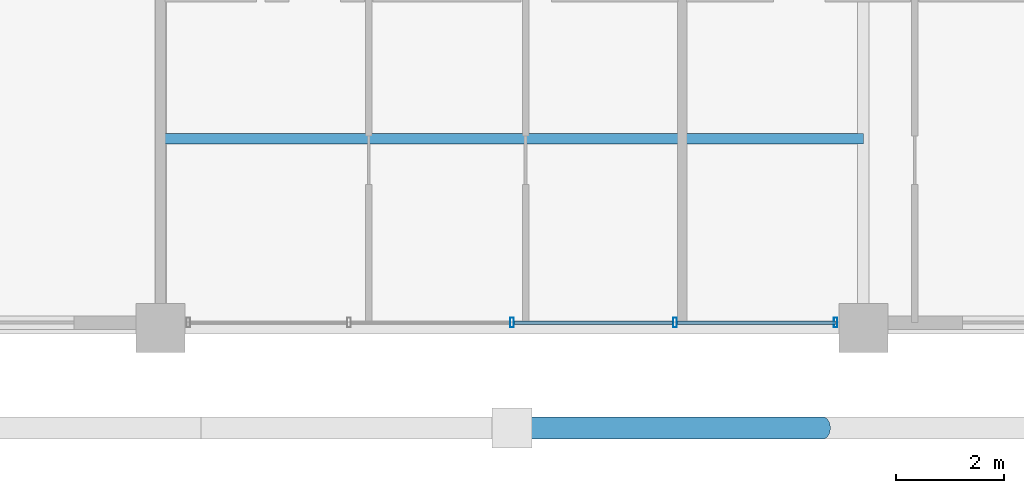
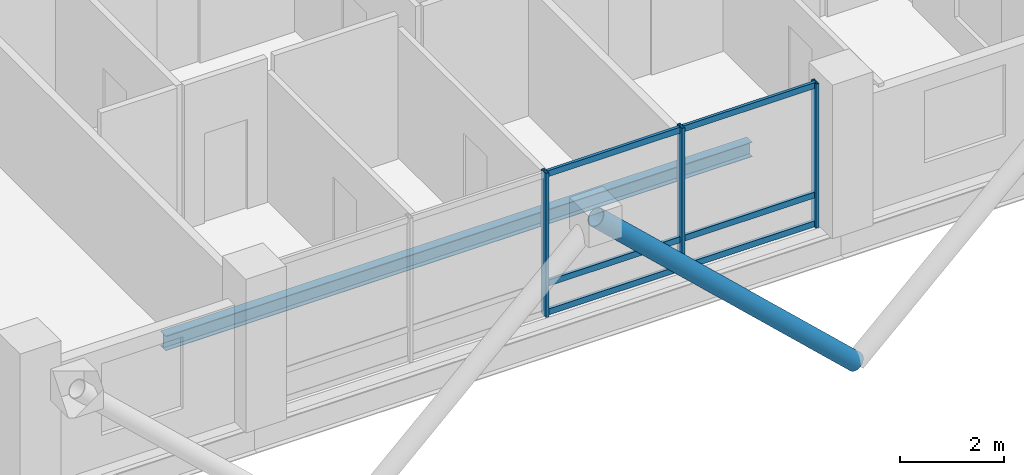
# One storey, part 5 of 23: 10 members, 1 beam, 1 element without a shape of its own.
"""IFC4 building model written with IfcOpenShell, lengths in metres."""

from ifc_helpers import new_model, si_unit, direction, frame, origin, origin_2d, place, context, subcontext, project, spatial, hollow_rectangle, hollow_circle, i_section, extrude, material, layer, layer_set, material_profile, profile_set, type_object, element, aggregate, save


model = new_model("IFC4")

# Units and contexts
model_context = context("Model", 3, precision=1e-05, world=origin(), true_north=direction((0.0, 1.0)))
body_context = subcontext(model_context, "Body", "Model", "MODEL_VIEW")
ifc_project = project(units=[si_unit("LENGTHUNIT", "METRE"), si_unit("AREAUNIT", "SQUARE_METRE"), si_unit("VOLUMEUNIT", "CUBIC_METRE"), si_unit("PLANEANGLEUNIT", "RADIAN"), si_unit("MASSUNIT", "GRAM", prefix="KILO")], contexts=[model_context])

# Site, building, storey
site_placement = place(None, origin())
site = spatial("IfcSite", under=ifc_project, at=site_placement, CompositionType="ELEMENT")
building_placement = place(site_placement, origin())
building = spatial("IfcBuilding", under=site, at=building_placement, Name="Barlavira Tower and Art Museum", CompositionType="ELEMENT")
storey_placement = place(building_placement, frame((0.0, 0.0, 236.699951171875)))
storey = spatial("IfcBuildingStorey", under=building, at=storey_placement, Name="L61", CompositionType="ELEMENT", Elevation=236.699951171875)

# Curtain wall, members
ifc_material_1 = material(Name="Low-iron coastal laminated glass", Category="glass")
ifc_layer = layer(ifc_material_1, 0.2099609375, Name="Low-iron coastal laminated glass")
ifc_layer_set = layer_set([ifc_layer], Name="Low-iron coastal laminated glass")
curtain_wall_type = type_object("IfcCurtainWallType", Name="Pale-Metal Unitised Curtain Wall Zone 4", PredefinedType="NOTDEFINED", material=ifc_layer_set)
curtain_wall_placement = place(storey_placement, origin())
curtain_wall = element("IfcCurtainWall", 1, at=curtain_wall_placement, inside=storey, type_object=curtain_wall_type, Name="L61 Curtain Wall CW4-L61-S-B2", PredefinedType="NOTDEFINED")
ifc_material_2 = material(Name="Pale anodised aluminium", Category="aluminium")
ifc_material_profile_1 = material_profile(ifc_material_2, hollow_rectangle(XDim=0.06494140625, YDim=0.179931640625, WallThickness=0.00390625, at=origin_2d()), Name="ALU-MULL 65x180x4")
ifc_profile_set_1 = profile_set([ifc_material_profile_1], Name="Pale anodised aluminium")
member_type_1 = type_object("IfcMemberType", Name="Curtain Wall Pale-Metal Mullion 65x180", PredefinedType="MULLION", material=ifc_profile_set_1)
member_1_placement = place(storey_placement, frame((0.0, -19.89990234375, 0.0), z_axis=(0.0, 0.0, 1.0), x_axis=(1.0, 0.0, 0.0)))
member_1 = element("IfcMember", 2, at=member_1_placement, type_object=member_type_1, Name="CW4-L61-S-B2 Mullion 2", PredefinedType="MULLION", context=body_context, shape_type="SweptSolid", body=[
    extrude(hollow_rectangle(XDim=0.06494140625, YDim=0.179931640625, WallThickness=0.00390625, at=origin_2d()), origin(), (0.0, 0.0, 1.0), 3.380126953125),
])
member_2_placement = place(storey_placement, frame((3.014892578125, -19.89990234375, 0.0), z_axis=(0.0, 0.0, 1.0), x_axis=(1.0, 0.0, 0.0)))
member_2 = element("IfcMember", 3, at=member_2_placement, type_object=member_type_1, Name="CW4-L61-S-B2 Mullion 3", PredefinedType="MULLION", context=body_context, shape_type="SweptSolid", body=[
    extrude(hollow_rectangle(XDim=0.06494140625, YDim=0.179931640625, WallThickness=0.00390625, at=origin_2d()), origin(), (0.0, 0.0, 1.0), 3.380126953125),
])
member_3_placement = place(storey_placement, frame((5.985107421875, -19.89990234375, 0.0), z_axis=(0.0, 0.0, 1.0), x_axis=(1.0, 0.0, 0.0)))
member_3 = element("IfcMember", 4, at=member_3_placement, type_object=member_type_1, Name="CW4-L61-S-B2 Mullion 4", PredefinedType="MULLION", context=body_context, shape_type="SweptSolid", body=[
    extrude(hollow_rectangle(XDim=0.06494140625, YDim=0.179931640625, WallThickness=0.00390625, at=origin_2d()), origin(), (0.0, 0.0, 1.0), 3.380126953125),
])
ifc_material_profile_2 = material_profile(ifc_material_2, hollow_rectangle(XDim=0.06494140625, YDim=0.139892578125, WallThickness=0.00390625, at=origin_2d()), Name="ALU-TRAN 65x140x4")
ifc_profile_set_2 = profile_set([ifc_material_profile_2], Name="Pale anodised aluminium")
member_type_2 = type_object("IfcMemberType", Name="Curtain Wall Pale-Metal Transom 65x140", PredefinedType="USERDEFINED", material=ifc_profile_set_2)
member_4_placement = place(storey_placement, frame((0.044921875, -19.89990234375, 0.070068359375), z_axis=(1.0, 0.0, 0.0), x_axis=(0.0, 1.0, 0.0)))
member_4 = element("IfcMember", 5, at=member_4_placement, type_object=member_type_2, Name="CW4-L61-S-B2 Transom 2.1", ObjectType="TRANSOM", PredefinedType="USERDEFINED", context=body_context, shape_type="SweptSolid", body=[
    extrude(hollow_rectangle(XDim=0.06494140625, YDim=0.139892578125, WallThickness=0.00390625, at=origin_2d()), origin(), (0.0, 0.0, 1.0), 2.925048828125),
])
member_5_placement = place(storey_placement, frame((0.044921875, -19.89990234375, 0.744140625), z_axis=(1.0, 0.0, 0.0), x_axis=(0.0, 1.0, 0.0)))
member_5 = element("IfcMember", 6, at=member_5_placement, type_object=member_type_2, Name="CW4-L61-S-B2 Transom 2.2", ObjectType="TRANSOM", PredefinedType="USERDEFINED", context=body_context, shape_type="SweptSolid", body=[
    extrude(hollow_rectangle(XDim=0.06494140625, YDim=0.139892578125, WallThickness=0.00390625, at=origin_2d()), origin(), (0.0, 0.0, 1.0), 2.925048828125),
])
member_6_placement = place(storey_placement, frame((0.044921875, -19.89990234375, 3.31005859375), z_axis=(1.0, 0.0, 0.0), x_axis=(0.0, 1.0, 0.0)))
member_6 = element("IfcMember", 7, at=member_6_placement, type_object=member_type_2, Name="CW4-L61-S-B2 Transom 2.3", ObjectType="TRANSOM", PredefinedType="USERDEFINED", context=body_context, shape_type="SweptSolid", body=[
    extrude(hollow_rectangle(XDim=0.06494140625, YDim=0.139892578125, WallThickness=0.00390625, at=origin_2d()), origin(), (0.0, 0.0, 1.0), 2.925048828125),
])
member_7_placement = place(storey_placement, frame((3.06005859375, -19.89990234375, 0.070068359375), z_axis=(1.0, 0.0, 0.0), x_axis=(0.0, 1.0, 0.0)))
member_7 = element("IfcMember", 8, at=member_7_placement, type_object=member_type_2, Name="CW4-L61-S-B2 Transom 3.1", ObjectType="TRANSOM", PredefinedType="USERDEFINED", context=body_context, shape_type="SweptSolid", body=[
    extrude(hollow_rectangle(XDim=0.06494140625, YDim=0.139892578125, WallThickness=0.00390625, at=origin_2d()), origin(), (0.0, 0.0, 1.0), 2.925048828125),
])
member_8_placement = place(storey_placement, frame((3.06005859375, -19.89990234375, 0.744140625), z_axis=(1.0, 0.0, 0.0), x_axis=(0.0, 1.0, 0.0)))
member_8 = element("IfcMember", 9, at=member_8_placement, type_object=member_type_2, Name="CW4-L61-S-B2 Transom 3.2", ObjectType="TRANSOM", PredefinedType="USERDEFINED", context=body_context, shape_type="SweptSolid", body=[
    extrude(hollow_rectangle(XDim=0.06494140625, YDim=0.139892578125, WallThickness=0.00390625, at=origin_2d()), origin(), (0.0, 0.0, 1.0), 2.925048828125),
])
member_9_placement = place(storey_placement, frame((3.06005859375, -19.89990234375, 3.31005859375), z_axis=(1.0, 0.0, 0.0), x_axis=(0.0, 1.0, 0.0)))
member_9 = element("IfcMember", 10, at=member_9_placement, type_object=member_type_2, Name="CW4-L61-S-B2 Transom 3.3", ObjectType="TRANSOM", PredefinedType="USERDEFINED", context=body_context, shape_type="SweptSolid", body=[
    extrude(hollow_rectangle(XDim=0.06494140625, YDim=0.139892578125, WallThickness=0.00390625, at=origin_2d()), origin(), (0.0, 0.0, 1.0), 2.925048828125),
])
aggregate(curtain_wall, [member_1, member_2, member_3, member_4, member_5, member_6, member_7, member_8, member_9])

# Member
ifc_material_3 = material(Name="Steel S355", Category="steel")
ifc_material_profile_3 = material_profile(ifc_material_3, hollow_circle(Radius=0.203125, WallThickness=0.01611328125, at=origin_2d()), Name="CHS 406.4x16.0")
ifc_profile_set_3 = profile_set([ifc_material_profile_3], Name="Steel S355")
member_type_3 = type_object("IfcMemberType", Name="Pale-Metal Exoskeleton Diagrid Tube CHS 406x16 Steel S355", PredefinedType="BRACE", material=ifc_profile_set_3)
member_10_placement = place(storey_placement, frame((5.75, -21.85009765625, -1.919921875), z_axis=(-0.728950095515, 0.0, 0.684566839869), x_axis=(0.0, -1.0, 0.0)))
element("IfcMember", 11, at=member_10_placement, inside=storey, type_object=member_type_3, Name="L61 Exoskeleton Diagrid Tube S", PredefinedType="BRACE", context=body_context, shape_type="SweptSolid", body=[
    extrude(hollow_circle(Radius=0.203125, WallThickness=0.01611328125, at=origin_2d()), origin(), (0.0, 0.0, 1.0), 7.887939453125),
])

# Beam
ifc_material_profile_4 = material_profile(ifc_material_3, i_section(OverallWidth=0.202880859375, OverallDepth=0.346923828125, WebThickness=0.0078125, FlangeThickness=0.013427734375, at=origin_2d()), Name="W360x64.0")
ifc_profile_set_4 = profile_set([ifc_material_profile_4], Name="Steel S355")
beam_type = type_object("IfcBeamType", Name="Zone 4 Composite Floor Joist W360x64 Steel S355", PredefinedType="JOIST", material=ifc_profile_set_4)
beam_placement = place(storey_placement, frame((-6.5, -16.5, -0.3935546875), z_axis=(1.0, 0.0, 0.0), x_axis=(0.0, 1.0, 0.0)))
element("IfcBeam", 12, at=beam_placement, inside=storey, type_object=beam_type, Name="L61 Joist C1", PredefinedType="JOIST", context=body_context, shape_type="SweptSolid", body=[
    extrude(i_section(OverallWidth=0.202880859375, OverallDepth=0.346923828125, WebThickness=0.0078125, FlangeThickness=0.013427734375, at=origin_2d()), origin(), (0.0, 0.0, 1.0), 13.0),
])

save(model, "model.ifc")
